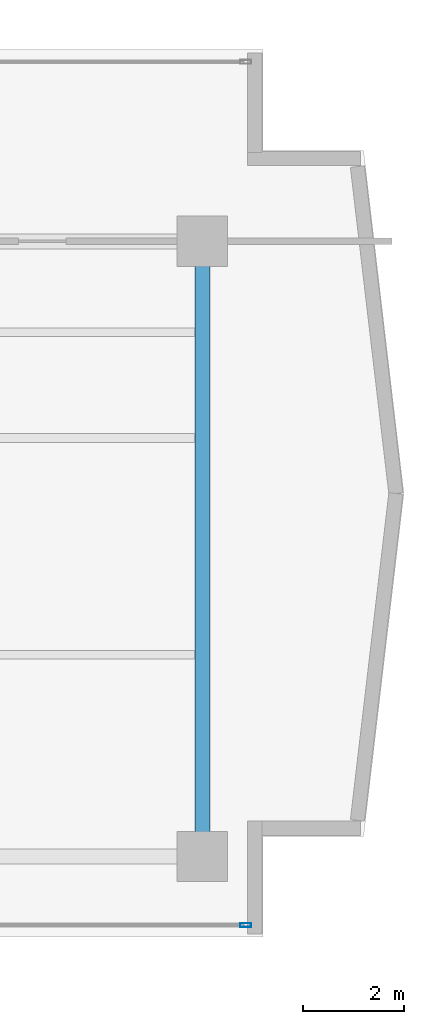
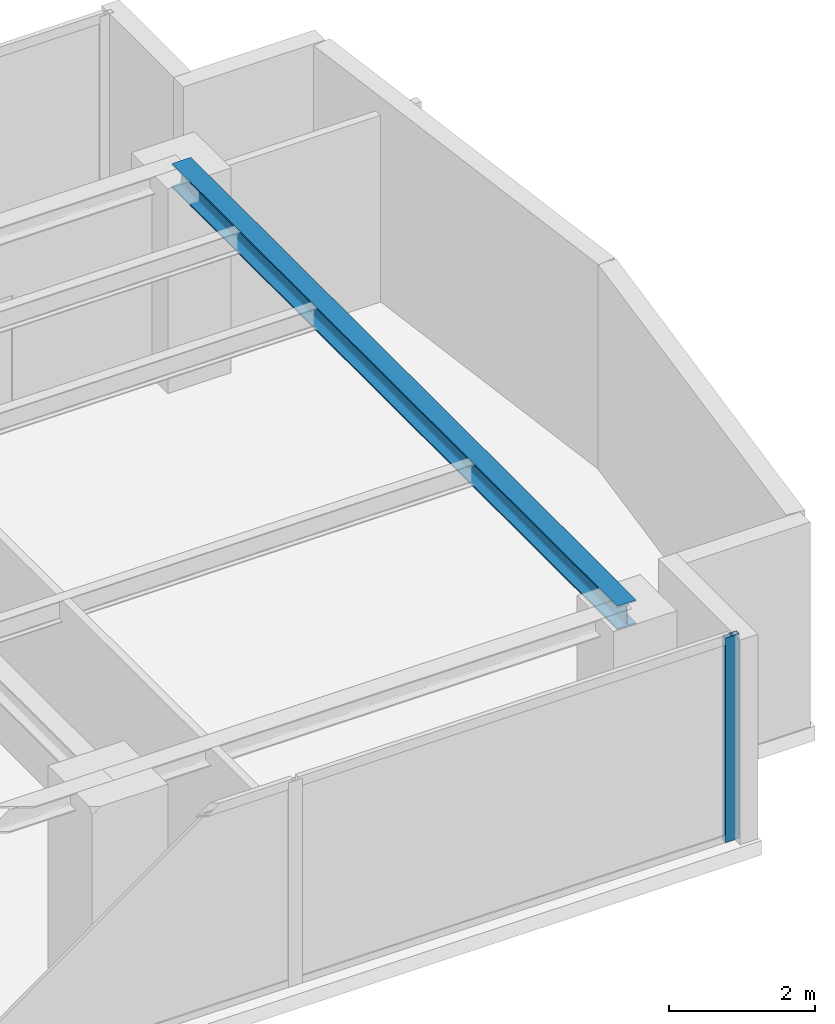
# One storey, part 12 of 26: 1 beam, 1 member, 1 element without a shape of its own.
"""IFC4 building model written with IfcOpenShell, lengths in metres."""

from ifc_helpers import new_model, si_unit, direction, frame, origin, origin_with_axes, origin_2d, place, context, subcontext, project, spatial, hollow_rectangle, i_section, extrude, source, transform, mapped, material, layer, layer_set, material_profile, profile_set, type_object, element, aggregate, save


model = new_model("IFC4")

# Units and contexts
model_context = context("Model", 3, precision=1e-05, world=origin(), true_north=direction((0.0, 1.0)))
body_context = subcontext(model_context, "Body", "Model", "MODEL_VIEW")
ifc_project = project(units=[si_unit("LENGTHUNIT", "METRE"), si_unit("AREAUNIT", "SQUARE_METRE"), si_unit("VOLUMEUNIT", "CUBIC_METRE"), si_unit("PLANEANGLEUNIT", "RADIAN"), si_unit("MASSUNIT", "GRAM", prefix="KILO")], contexts=[model_context])

# Site, building, storey
site_placement = place(None, origin())
site = spatial("IfcSite", under=ifc_project, at=site_placement, CompositionType="ELEMENT")
building_placement = place(site_placement, origin())
building = spatial("IfcBuilding", under=site, at=building_placement, Name="Kolvaren Waterfront Exchange", CompositionType="ELEMENT")
storey_placement = place(building_placement, frame((0.0, 0.0, 195.60009765625)))
storey = spatial("IfcBuildingStorey", under=building, at=storey_placement, Name="L50", CompositionType="ELEMENT", Elevation=195.60009765625)

# Beam
ifc_material_1 = material(Name="Steel S355", Category="steel")
ifc_material_profile_1 = material_profile(ifc_material_1, i_section(OverallWidth=0.300048828125, OverallDepth=0.39990234375, WebThickness=0.013427734375, FlangeThickness=0.02392578125, FilletRadius=0.027099609375, at=origin_2d()), Name="HEB400")
ifc_profile_set_1 = profile_set([ifc_material_profile_1], Name="Steel S355")
beam_type = type_object("IfcBeamType", Name="STR-BM-HEB400", PredefinedType="BEAM", material=ifc_profile_set_1)
beam_placement = place(storey_placement, frame((53.800048828125, 5.199951171875, 3.219970703125), z_axis=(0.0, 1.0, 0.0), x_axis=(-1.0, 0.0, 0.0)))
element("IfcBeam", 1, at=beam_placement, inside=storey, type_object=beam_type, Name="L50 east-arm transverse girder X53", PredefinedType="BEAM", context=body_context, shape_type="SweptSolid", body=[
    extrude(i_section(OverallWidth=0.300048828125, OverallDepth=0.39990234375, WebThickness=0.013427734375, FlangeThickness=0.02392578125, FilletRadius=0.027099609375, at=origin_2d()), origin(), (0.0, 0.0, 1.0), 12.199951171875),
])

# Curtain wall, member
ifc_material_2 = material(Name="Anodised bronze aluminium 6063-T6", Category="aluminium")
ifc_layer = layer(ifc_material_2, 0.219970703125, Name="Anodised bronze aluminium 6063-T6")
ifc_layer_set = layer_set([ifc_layer], Name="Anodised bronze aluminium 6063-T6")
curtain_wall_type = type_object("IfcCurtainWallType", Name="ARC-CW-SYS1", PredefinedType="USERDEFINED", material=ifc_layer_set)
curtain_wall_placement = place(storey_placement, origin())
curtain_wall = element("IfcCurtainWall", 2, at=curtain_wall_placement, inside=storey, type_object=curtain_wall_type, Name="L50 stick curtain wall CW1 (CW-L50-S)", ObjectType="STICK CURTAIN WALL", PredefinedType="USERDEFINED")
ifc_material_3 = material(Name="Anodised aluminium 6063-T6", Category="aluminium")
ifc_material_profile_2 = material_profile(ifc_material_3, hollow_rectangle(XDim=0.080078125, YDim=0.219970703125, WallThickness=0.0048828125, at=origin_2d()), Name="ALU-MUL-220x80x5")
ifc_profile_set_2 = profile_set([ifc_material_profile_2], Name="Anodised aluminium 6063-T6")
member_type = type_object("IfcMemberType", Name="ARC-CWM-220", PredefinedType="MULLION", material=ifc_profile_set_2)
shared_shape = source(origin_with_axes(), body_context, "Body", "SweptSolid", [
    extrude(hollow_rectangle(XDim=0.080078125, YDim=0.219970703125, WallThickness=0.0048828125, at=origin_2d()), origin(), (0.0, 0.0, 1.0), 3.419921875),
])
member_placement = place(storey_placement, frame((54.659912109375, 3.840087890625, 0.0), z_axis=(0.0, 0.0, 1.0), x_axis=(0.0, 1.0, 0.0)))
member = element("IfcMember", 3, at=member_placement, type_object=member_type, Name="CW1 mullion 8", PredefinedType="MULLION", context=body_context, shape_type="MappedRepresentation", body=[
    mapped(shared_shape, transform((0.0, 0.0, 0.0), x_axis=(1.0, 0.0, 0.0), y_axis=(0.0, 1.0, 0.0), z_axis=(0.0, 0.0, 1.0), scale=1.0)),
])
aggregate(curtain_wall, [member])

save(model, "model.ifc")
